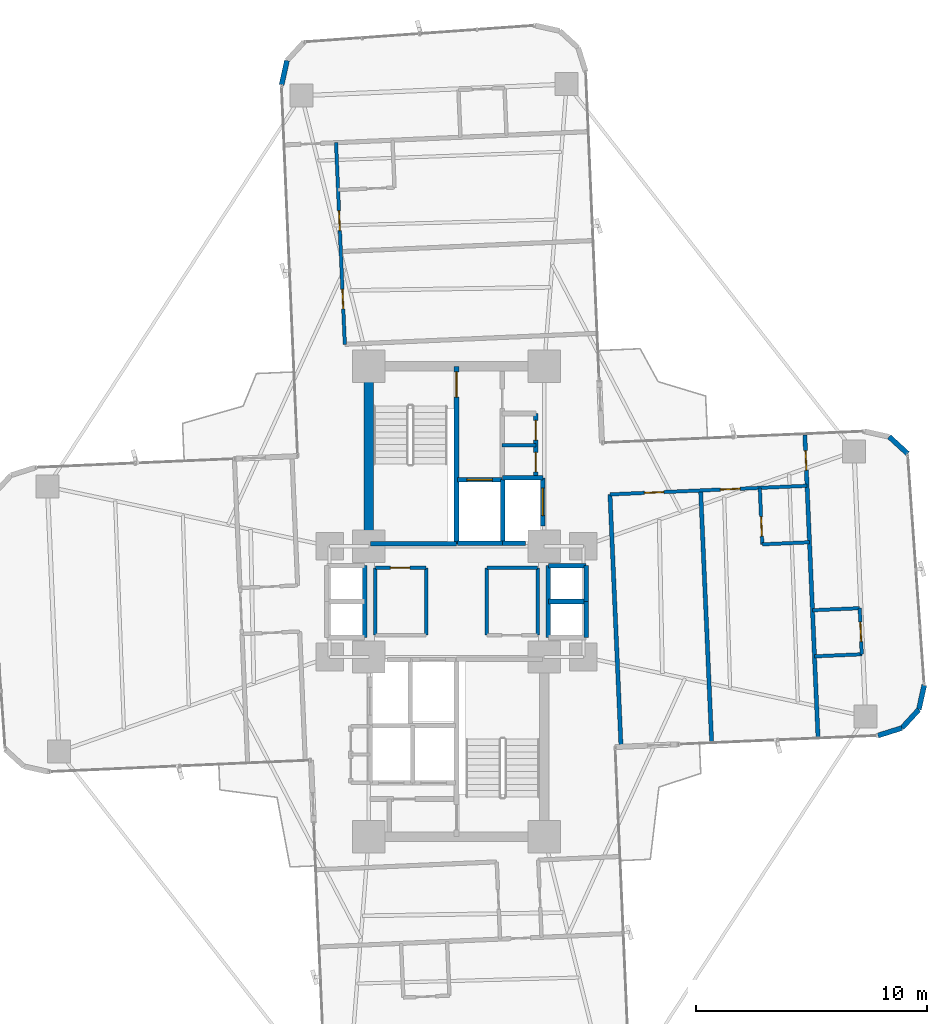
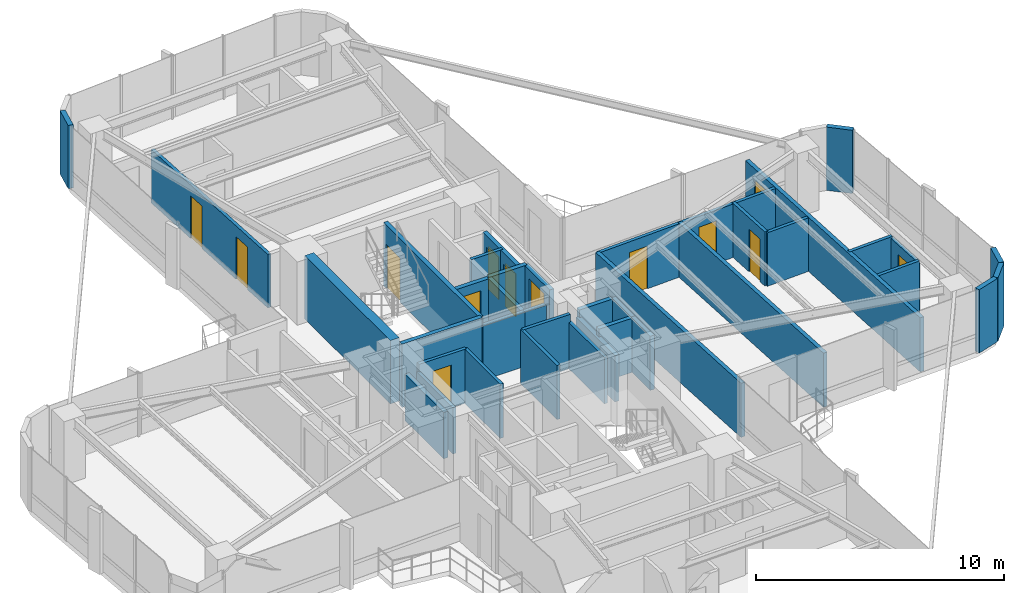
# One storey, part 24 of 26: 38 walls, 13 doors, 13 openings.
"""IFC4 building model written with IfcOpenShell, lengths in metres."""

from ifc_helpers import new_model, si_unit, direction, frame, frame_2d, origin, origin_2d, place, context, subcontext, project, spatial, rectangle, extrude, source, transform, mapped, material, layer, layer_set, type_object, element, fill, save


model = new_model("IFC4")

# Units and contexts
model_context = context("Model", 3, precision=1e-05, world=origin(), true_north=direction((0.0, 1.0)))
body_context = subcontext(model_context, "Body", "Model", "MODEL_VIEW")
ifc_project = project(units=[si_unit("LENGTHUNIT", "METRE"), si_unit("AREAUNIT", "SQUARE_METRE"), si_unit("VOLUMEUNIT", "CUBIC_METRE"), si_unit("PLANEANGLEUNIT", "RADIAN"), si_unit("MASSUNIT", "GRAM", prefix="KILO")], contexts=[model_context])

# Site, building, storey
site_placement = place(None, origin())
site = spatial("IfcSite", under=ifc_project, at=site_placement, CompositionType="ELEMENT")
building_placement = place(site_placement, origin())
building = spatial("IfcBuilding", under=site, at=building_placement, Name="Sahyath Konkavel Grand Hotel", CompositionType="ELEMENT")
storey_placement = place(building_placement, frame((0.0, 0.0, 118.14990234375)))
storey = spatial("IfcBuildingStorey", under=building, at=storey_placement, Name="L32", CompositionType="ELEMENT", Elevation=118.14990234375)

# Walls
ifc_material_1 = material(Name="Concrete C50/60", Category="concrete")
ifc_layer_1 = layer(ifc_material_1, 0.419921875)
ifc_layer_set_1 = layer_set([ifc_layer_1], Name="Concrete C50/60")
wall_type_1 = type_object("IfcWallType", Name="CWALL-420", PredefinedType="SHEAR", material=ifc_layer_set_1)
wall_1_placement = place(storey_placement, frame((-3.800048828125, 2.85009765625, 0.0), z_axis=(0.0, 0.0, 1.0), x_axis=(0.0, 1.0, 0.0)))
element("IfcWall", 1, at=wall_1_placement, inside=storey, type_object=wall_type_1, Name="L32 North Core Shear Wall W", PredefinedType="SHEAR", context=body_context, shape_type="SweptSolid", body=[
    extrude(rectangle(XDim=6.89990234375, YDim=0.419921875, at=frame_2d((3.449951171875, 0.0))), origin(), (0.0, 0.0, 1.0), 3.110107421875),
])
ifc_material_2 = material(Name="Warm Buff Sandstone Insulated Concrete C40/50", Category="masonry")
ifc_layer_2 = layer(ifc_material_2, 0.219970703125)
ifc_layer_set_2 = layer_set([ifc_layer_2], Name="Warm Buff Sandstone Insulated Concrete C40/50")
wall_type_2 = type_object("IfcWallType", Name="WLL-BALC-THRESH", PredefinedType="STANDARD", material=ifc_layer_set_2)
for number, where, z_axis, x_axis, name in (
    (2, (18.270751953125, -5.80859375, 0.0), (0.0, 0.0, 1.0), (0.953721713582, 0.30069069331, 0.0), "L32 Rounded Corner Sandstone Pier 1"),
    (3, (19.3076171875, -5.481689453125, 0.0), (0.0, 0.0, 1.0), (0.675551721847, 0.737312600672, 0.0), "L32 Rounded Corner Sandstone Pier 2"),
):
    element("IfcWall", number, at=place(storey_placement, frame(where, z_axis=z_axis, x_axis=x_axis)), inside=storey, type_object=wall_type_2, Name=name, PredefinedType="STANDARD", context=body_context, shape_type="SweptSolid", body=[
        extrude(rectangle(XDim=1.087158203125, YDim=0.219970703125, at=frame_2d((0.54345703125, 0.0))), origin(), (0.0, 0.0, 1.0), 3.110107421875),
    ])
for number, where, z_axis, x_axis, name in (
    (4, (20.0419921875, -4.68017578125, 0.0), (0.0, 0.0, 1.0), (0.216288323511, 0.976329535102, 0.0), "L32 Rounded Corner Sandstone Pier 3"),
    (5, (19.5576171875, 6.4091796875, 0.0), (0.0, 0.0, 1.0), (-0.737210081318, 0.675663596772, 0.0), "L32 Rounded Corner Sandstone Pier 5"),
):
    element("IfcWall", number, at=place(storey_placement, frame(where, z_axis=z_axis, x_axis=x_axis)), inside=storey, type_object=wall_type_2, Name=name, PredefinedType="STANDARD", context=body_context, shape_type="SweptSolid", body=[
        extrude(rectangle(XDim=1.0869140625, YDim=0.219970703125, at=frame_2d((0.54345703125, 0.0))), origin(), (0.0, 0.0, 1.0), 3.110107421875),
    ])
wall_2_placement = place(storey_placement, frame((-7.3486328125, 23.451904296875, 0.0), z_axis=(0.0, 0.0, 1.0), x_axis=(-0.216454939174, -0.976292609471, 0.0)))
element("IfcWall", 6, at=wall_2_placement, inside=storey, type_object=wall_type_2, Name="L32 Rounded Corner Sandstone Pier 14", PredefinedType="STANDARD", context=body_context, shape_type="SweptSolid", body=[
    extrude(rectangle(XDim=1.08740234375, YDim=0.219970703125, at=frame_2d((0.543701171875, 0.0))), origin(), (0.0, 0.0, 1.0), 3.110107421875),
])

# Wall, opening, door
ifc_material_3 = material(Name="Concrete C40/50", Category="concrete")
ifc_layer_3 = layer(ifc_material_3, 0.199951171875)
ifc_layer_set_3 = layer_set([ifc_layer_3], Name="Concrete C40/50")
wall_type_3 = type_object("IfcWallType", Name="WLL-CORE-200", PredefinedType="SOLIDWALL", material=ifc_layer_set_3)
wall_3_placement = place(storey_placement, frame((0.0, 2.5, 0.0), z_axis=(0.0, 0.0, 1.0), x_axis=(0.0, 1.0, 0.0)))
wall_3 = element("IfcWall", 7, at=wall_3_placement, inside=storey, type_object=wall_type_3, Name="L32 Stair ST-1 Shaft Wall E", PredefinedType="SOLIDWALL", context=body_context, shape_type="SweptSolid", body=[
    extrude(rectangle(XDim=7.679931640625, YDim=0.199951171875, at=frame_2d((3.83984375, 0.0))), origin(), (0.0, 0.0, 1.0), 3.110107421875),
])
opening_1_placement = place(wall_3_placement, frame((6.360107421875, 0.0, 0.0)))
opening_1 = element("IfcOpeningElement", 8, at=opening_1_placement, cuts=wall_3, Name="Opening D-F12B", PredefinedType="OPENING", context=body_context, shape_type="SweptSolid", body=[
    extrude(rectangle(XDim=1.10009765625, YDim=2.14990234375, at=frame_2d((0.550048828125, 1.074951171875))), frame((0.0, 0.10986328125, 0.0), z_axis=(0.0, -1.0, 0.0), x_axis=(1.0, 0.0, 0.0)), (0.0, 0.0, 1.0), 0.219970703125),
])
ifc_material_4 = material(Name="Steel E350 Smokeproof Fire Door", Category="steel")
door_type_1 = type_object("IfcDoorType", Name="DR-FD120-1100", OperationType="NOTDEFINED", PredefinedType="DOOR", material=ifc_material_4)
shared_shape_1 = source(origin(), body_context, "Body", "SweptSolid", [
    extrude(rectangle(XDim=1.10009765625, YDim=0.050048828125, at=origin_2d()), origin(), (0.0, 0.0, 1.0), 2.14990234375),
])
door_1_placement = place(opening_1_placement, frame((0.550048828125, 0.0, 0.0)))
door_1 = element("IfcDoor", 9, at=door_1_placement, inside=storey, type_object=door_type_1, Name="L32 Stair ST-1 Fire Door", OperationType="SINGLE_SWING_RIGHT", OverallHeight=2.14990234375, OverallWidth=1.10009765625, PredefinedType="DOOR", context=body_context, shape_type="MappedRepresentation", body=[
    mapped(shared_shape_1, transform((0.0, 0.0, 0.0), scale=1.0)),
])
fill(opening_1, door_1)

# Walls
wall_4_placement = place(storey_placement, frame((-3.719970703125, 2.5, 0.0), z_axis=(0.0, 0.0, 1.0), x_axis=(1.0, 0.0, 0.0)))
element("IfcWall", 10, at=wall_4_placement, inside=storey, type_object=wall_type_3, Name="L32 Stair ST-1 Shaft Wall S", PredefinedType="SOLIDWALL", context=body_context, shape_type="SweptSolid", body=[
    extrude(rectangle(XDim=3.719970703125, YDim=0.199951171875, at=frame_2d((1.85986328125, 0.0))), origin(), (0.0, 0.0, 1.0), 3.110107421875),
])
wall_5_placement = place(storey_placement, frame((2.0, 2.5, 0.0), z_axis=(0.0, 0.0, 1.0), x_axis=(0.0, 1.0, 0.0)))
element("IfcWall", 11, at=wall_5_placement, inside=storey, type_object=wall_type_3, Name="L32 Partition SH-FFL1-E", PredefinedType="SOLIDWALL", context=body_context, shape_type="SweptSolid", body=[
    extrude(rectangle(XDim=2.780029296875, YDim=0.199951171875, at=frame_2d((1.39013671875, 0.0))), origin(), (0.0, 0.0, 1.0), 2.66015625),
])
wall_6_placement = place(storey_placement, frame((0.050048828125, 2.52001953125, 0.0), z_axis=(0.0, 0.0, 1.0), x_axis=(1.0, 0.0, 0.0)))
element("IfcWall", 12, at=wall_6_placement, inside=storey, type_object=wall_type_3, Name="L32 Partition SH-FFL1-S", PredefinedType="SOLIDWALL", context=body_context, shape_type="SweptSolid", body=[
    extrude(rectangle(XDim=1.949951171875, YDim=0.199951171875, at=frame_2d((0.97509765625, 0.0))), origin(), (0.0, 0.0, 1.0), 2.66015625),
])

# Wall, opening, door
wall_7_placement = place(storey_placement, frame((0.050048828125, 5.280029296875, 0.0), z_axis=(0.0, 0.0, 1.0), x_axis=(1.0, 0.0, 0.0)))
wall_7 = element("IfcWall", 13, at=wall_7_placement, inside=storey, type_object=wall_type_3, Name="L32 Partition SH-FFL1-N", PredefinedType="SOLIDWALL", context=body_context, shape_type="SweptSolid", body=[
    extrude(rectangle(XDim=1.929931640625, YDim=0.199951171875, at=frame_2d((0.96484375, 0.0))), origin(), (0.0, 0.0, 1.0), 2.66015625),
])
opening_2_placement = place(wall_7_placement, frame((0.39990234375, 0.0, 0.0)))
opening_2 = element("IfcOpeningElement", 14, at=opening_2_placement, cuts=wall_7, Name="Opening LD-11", PredefinedType="OPENING", context=body_context, shape_type="SweptSolid", body=[
    extrude(rectangle(XDim=1.10009765625, YDim=2.199951171875, at=frame_2d((0.550048828125, 1.10009765625))), frame((0.0, 0.10986328125, 0.0), z_axis=(0.0, -1.0, 0.0), x_axis=(1.0, 0.0, 0.0)), (0.0, 0.0, 1.0), 0.219970703125),
])
ifc_material_5 = material(Name="Bronze Lift Landing Door 1100")
door_type_2 = type_object("IfcDoorType", Name="DR-LIFT-1100", OperationType="DOUBLE_DOOR_SLIDING", PredefinedType="DOOR", material=ifc_material_5)
shared_shape_2 = source(origin(), body_context, "Body", "SweptSolid", [
    extrude(rectangle(XDim=1.10009765625, YDim=0.050048828125, at=origin_2d()), origin(), (0.0, 0.0, 1.0), 2.199951171875),
])
door_2_placement = place(opening_2_placement, frame((0.550048828125, 0.0, 0.0)))
door_2 = element("IfcDoor", 15, at=door_2_placement, inside=storey, type_object=door_type_2, Name="L32 Lift FFL-1 Landing Door", OperationType="DOUBLE_DOOR_SLIDING", OverallHeight=2.199951171875, OverallWidth=1.10009765625, PredefinedType="DOOR", context=body_context, shape_type="MappedRepresentation", body=[
    mapped(shared_shape_2, transform((0.0, 0.0, 0.0), scale=1.0)),
])
fill(opening_2, door_2)

# Walls
wall_8_placement = place(storey_placement, frame((2.0, 2.52001953125, 0.0), z_axis=(0.0, 0.0, 1.0), x_axis=(1.0, 0.0, 0.0)))
element("IfcWall", 16, at=wall_8_placement, inside=storey, type_object=wall_type_3, Name="L32 Partition SH-SVL1-S", PredefinedType="SOLIDWALL", context=body_context, shape_type="SweptSolid", body=[
    extrude(rectangle(XDim=1.0, YDim=0.199951171875, at=frame_2d((0.5, 0.0))), origin(), (0.0, 0.0, 1.0), 2.66015625),
])
wall_9_placement = place(storey_placement, frame((2.0, 5.360107421875, 0.0), z_axis=(0.0, 0.0, 1.0), x_axis=(1.0, 0.0, 0.0)))
element("IfcWall", 17, at=wall_9_placement, inside=storey, type_object=wall_type_3, Name="L32 Partition SH-SVL1-N", PredefinedType="SOLIDWALL", context=body_context, shape_type="SweptSolid", body=[
    extrude(rectangle(XDim=1.739990234375, YDim=0.199951171875, at=frame_2d((0.8701171875, 0.0))), origin(), (0.0, 0.0, 1.0), 2.66015625),
])

# Wall, opening, door
wall_10_placement = place(storey_placement, frame((3.739990234375, 3.280029296875, 0.0), z_axis=(0.0, 0.0, 1.0), x_axis=(0.0, 1.0, 0.0)))
wall_10 = element("IfcWall", 18, at=wall_10_placement, inside=storey, type_object=wall_type_3, Name="L32 Partition SH-SVL1-E", PredefinedType="SOLIDWALL", context=body_context, shape_type="SweptSolid", body=[
    extrude(rectangle(XDim=2.080078125, YDim=0.199951171875, at=frame_2d((1.0400390625, 0.0))), origin(), (0.0, 0.0, 1.0), 2.66015625),
])
opening_3_placement = place(wall_10_placement, frame((0.43994140625, 0.0, 0.0)))
opening_3 = element("IfcOpeningElement", 19, at=opening_3_placement, cuts=wall_10, Name="Opening LD-12", PredefinedType="OPENING", context=body_context, shape_type="SweptSolid", body=[
    extrude(rectangle(XDim=1.199951171875, YDim=2.199951171875, at=frame_2d((0.60009765625, 1.10009765625))), frame((0.0, 0.10986328125, 0.0), z_axis=(0.0, -1.0, 0.0), x_axis=(1.0, 0.0, 0.0)), (0.0, 0.0, 1.0), 0.219970703125),
])
ifc_material_6 = material(Name="Stainless Steel Lift Landing Door 1200", Category="steel")
door_type_3 = type_object("IfcDoorType", Name="DR-LIFT-1200", OperationType="DOUBLE_DOOR_SLIDING", PredefinedType="DOOR", material=ifc_material_6)
shared_shape_3 = source(origin(), body_context, "Body", "SweptSolid", [
    extrude(rectangle(XDim=1.199951171875, YDim=0.050048828125, at=origin_2d()), origin(), (0.0, 0.0, 1.0), 2.199951171875),
])
door_3_placement = place(opening_3_placement, frame((0.60009765625, 0.0, 0.0)))
door_3 = element("IfcDoor", 20, at=door_3_placement, inside=storey, type_object=door_type_3, Name="L32 Service Lift SVL-1 Landing Door", OperationType="DOUBLE_DOOR_SLIDING", OverallHeight=2.199951171875, OverallWidth=1.199951171875, PredefinedType="DOOR", context=body_context, shape_type="MappedRepresentation", body=[
    mapped(shared_shape_3, transform((0.0, 0.0, 0.0), scale=1.0)),
])
fill(opening_3, door_3)

# Walls
wall_11_placement = place(storey_placement, frame((3.97998046875, -1.56005859375, 0.0), z_axis=(0.0, 0.0, 1.0), x_axis=(0.0, 1.0, 0.0)))
element("IfcWall", 21, at=wall_11_placement, inside=storey, type_object=wall_type_3, Name="L32 Partition SH-PL56-W", PredefinedType="SOLIDWALL", context=body_context, shape_type="SweptSolid", body=[
    extrude(rectangle(XDim=3.1201171875, YDim=0.199951171875, at=frame_2d((1.56005859375, 0.0))), origin(), (0.0, 0.0, 1.0), 2.280029296875),
])
for number, where, z_axis, x_axis, name in (
    (22, (3.97998046875, 1.56005859375, 0.0), (0.0, 0.0, 1.0), (1.0, 0.0, 0.0), "L32 Partition SH-PL56-N"),
    (23, (3.97998046875, 0.0, 0.0), (0.0, 0.0, 1.0), (1.0, 0.0, 0.0), "L32 Partition SH-PL56-M"),
):
    element("IfcWall", number, at=place(storey_placement, frame(where, z_axis=z_axis, x_axis=x_axis)), inside=storey, type_object=wall_type_3, Name=name, PredefinedType="SOLIDWALL", context=body_context, shape_type="SweptSolid", body=[
        extrude(rectangle(XDim=1.64013671875, YDim=0.199951171875, at=frame_2d((0.820068359375, 0.0))), origin(), (0.0, 0.0, 1.0), 2.66015625),
    ])
for number, where, z_axis, x_axis, name in (
    (24, (5.6201171875, 0.0, 0.0), (0.0, 0.0, 1.0), (0.0, 1.0, 0.0), "L32 Partition SH-PL5-E"),
    (25, (5.6201171875, -1.56005859375, 0.0), (0.0, 0.0, 1.0), (0.0, 1.0, 0.0), "L32 Partition SH-PL6-E"),
):
    element("IfcWall", number, at=place(storey_placement, frame(where, z_axis=z_axis, x_axis=x_axis)), inside=storey, type_object=wall_type_3, Name=name, PredefinedType="SOLIDWALL", context=body_context, shape_type="SweptSolid", body=[
        extrude(rectangle(XDim=1.56005859375, YDim=0.199951171875, at=frame_2d((0.780029296875, 0.0))), origin(), (0.0, 0.0, 1.0), 2.66015625),
    ])
wall_12_placement = place(storey_placement, frame((-3.97998046875, -1.56005859375, 0.0), z_axis=(0.0, 0.0, 1.0), x_axis=(0.0, 1.0, 0.0)))
element("IfcWall", 26, at=wall_12_placement, inside=storey, type_object=wall_type_3, Name="L32 Partition SH-SL12-E", PredefinedType="SOLIDWALL", context=body_context, shape_type="SweptSolid", body=[
    extrude(rectangle(XDim=3.1201171875, YDim=0.199951171875, at=frame_2d((1.56005859375, 0.0))), origin(), (0.0, 0.0, 1.0), 2.280029296875),
])

# Wall, openings, doors
wall_13_placement = place(storey_placement, frame((3.43994140625, 5.3798828125, 0.0), z_axis=(0.0, 0.0, 1.0), x_axis=(0.0, 1.0, 0.0)))
wall_13 = element("IfcWall", 27, at=wall_13_placement, inside=storey, type_object=wall_type_3, Name="L32 Reclaimed North Core Wall E", PredefinedType="SOLIDWALL", context=body_context, shape_type="SweptSolid", body=[
    extrude(rectangle(XDim=2.77001953125, YDim=0.199951171875, at=frame_2d((1.385009765625, 0.0))), origin(), (0.0, 0.0, 1.0), 2.66015625),
])
opening_4_placement = place(wall_13_placement, frame((0.239990234375, 0.0, 0.0)))
opening_4 = element("IfcOpeningElement", 28, at=opening_4_placement, cuts=wall_13, Name="Opening D-F06D", PredefinedType="OPENING", context=body_context, shape_type="SweptSolid", body=[
    extrude(rectangle(XDim=0.85009765625, YDim=2.10009765625, at=frame_2d((0.425048828125, 1.050048828125))), frame((0.0, 0.10986328125, 0.0), z_axis=(0.0, -1.0, 0.0), x_axis=(1.0, 0.0, 0.0)), (0.0, 0.0, 1.0), 0.219970703125),
])
opening_5_placement = place(wall_13_placement, frame((1.6201171875, 0.0, 0.0)))
opening_5 = element("IfcOpeningElement", 29, at=opening_5_placement, cuts=wall_13, Name="Opening D-F06D", PredefinedType="OPENING", context=body_context, shape_type="SweptSolid", body=[
    extrude(rectangle(XDim=0.85009765625, YDim=2.10009765625, at=frame_2d((0.425048828125, 1.050048828125))), frame((0.0, 0.10986328125, 0.0), z_axis=(0.0, -1.0, 0.0), x_axis=(1.0, 0.0, 0.0)), (0.0, 0.0, 1.0), 0.219970703125),
])
ifc_material_7 = material(Name="Fire-Rated Shaft Access Door")
door_type_4 = type_object("IfcDoorType", Name="DR-FD60-850", OperationType="NOTDEFINED", PredefinedType="DOOR", material=ifc_material_7)
shared_shape_4 = source(origin(), body_context, "Body", "SweptSolid", [
    extrude(rectangle(XDim=0.85009765625, YDim=0.050048828125, at=origin_2d()), origin(), (0.0, 0.0, 1.0), 2.10009765625),
])
door_4_placement = place(opening_4_placement, frame((0.425048828125, 0.0, 0.0)))
door_4 = element("IfcDoor", 30, at=door_4_placement, inside=storey, type_object=door_type_4, Name="L32 Door NC-REC1-D", OperationType="SINGLE_SWING_LEFT", OverallHeight=2.10009765625, OverallWidth=0.85009765625, PredefinedType="DOOR", context=body_context, shape_type="MappedRepresentation", body=[
    mapped(shared_shape_4, transform((0.0, 0.0, 0.0), scale=1.0)),
])
fill(opening_4, door_4)
door_5_placement = place(opening_5_placement, frame((0.425048828125, 0.0, 0.0)))
door_5 = element("IfcDoor", 31, at=door_5_placement, inside=storey, type_object=door_type_4, Name="L32 Door NC-REC2-D", OperationType="SINGLE_SWING_RIGHT", OverallHeight=2.10009765625, OverallWidth=0.85009765625, PredefinedType="DOOR", context=body_context, shape_type="MappedRepresentation", body=[
    mapped(shared_shape_4, transform((0.0, 0.0, 0.0), scale=1.0)),
])
fill(opening_5, door_5)

# Walls
ifc_material_8 = material(Name="Twin-Stud Acoustic Gypsum Plasterboard Partition")
ifc_layer_4 = layer(ifc_material_8, 0.179931640625)
ifc_layer_set_4 = layer_set([ifc_layer_4], Name="Twin-Stud Acoustic Gypsum Plasterboard Partition")
wall_type_4 = type_object("IfcWallType", Name="WLL-DEMISE-180", PredefinedType="PARTITIONING", material=ifc_layer_set_4)
wall_14_placement = place(storey_placement, frame((7.129150390625, -6.2451171875, 0.0), z_axis=(0.0, 0.0, 1.0), x_axis=(-0.043608291235, 0.999048705988, 0.0)))
element("IfcWall", 32, at=wall_14_placement, inside=storey, type_object=wall_type_4, Name="L32 Partition E-G5I", PredefinedType="PARTITIONING", context=body_context, shape_type="SweptSolid", body=[
    extrude(rectangle(XDim=10.900146484375, YDim=0.179931640625, at=frame_2d((5.4501953125, 0.0))), origin(), (0.0, 0.0, 1.0), 2.66015625),
])
wall_15_placement = place(storey_placement, frame((10.5830078125, 4.816162109375, 0.0), z_axis=(0.0, 0.0, 1.0), x_axis=(0.043609267053, -0.999048663393, 0.0)))
element("IfcWall", 33, at=wall_15_placement, inside=storey, type_object=wall_type_4, Name="L32 Partition E-ED1-DEM", PredefinedType="PARTITIONING", context=body_context, shape_type="SweptSolid", body=[
    extrude(rectangle(XDim=10.89990234375, YDim=0.179931640625, at=frame_2d((5.449951171875, 0.0))), origin(), (0.0, 0.0, 1.0), 2.66015625),
])

# Wall, opening, door
wall_16_placement = place(storey_placement, frame((15.6708984375, -5.8720703125, 0.0), z_axis=(0.0, 0.0, 1.0), x_axis=(-0.043609488494, 0.999048653727, 0.0)))
wall_16 = element("IfcWall", 34, at=wall_16_placement, inside=storey, type_object=wall_type_4, Name="L32 Partition E-ETIP-END", PredefinedType="PARTITIONING", context=body_context, shape_type="SweptSolid", body=[
    extrude(rectangle(XDim=13.10009765625, YDim=0.179931640625, at=frame_2d((6.550048828125, 0.0))), origin(), (0.0, 0.0, 1.0), 2.66015625),
])
opening_6_placement = place(wall_16_placement, frame((11.574951171875, 0.0, 0.0)))
opening_6 = element("IfcOpeningElement", 35, at=opening_6_placement, cuts=wall_16, Name="Opening D-F06D", PredefinedType="OPENING", context=body_context, shape_type="SweptSolid", body=[
    extrude(rectangle(XDim=0.85009765625, YDim=2.10009765625, at=frame_2d((0.425048828125, 1.050048828125))), frame((0.0, 0.10009765625, 0.0), z_axis=(0.0, -1.0, 0.0), x_axis=(1.0, 0.0, 0.0)), (0.0, 0.0, 1.0), 0.199951171875),
])
door_6_placement = place(opening_6_placement, frame((0.425048828125, 0.0, 0.0)))
door_6 = element("IfcDoor", 36, at=door_6_placement, inside=storey, type_object=door_type_4, Name="L32 Door E-ETIP-ED", OperationType="SINGLE_SWING_LEFT", OverallHeight=2.10009765625, OverallWidth=0.85009765625, PredefinedType="DOOR", context=body_context, shape_type="MappedRepresentation", body=[
    mapped(shared_shape_4, transform((0.0, 0.0, 0.0), scale=1.0)),
])
fill(opening_6, door_6)

# Walls
ifc_material_9 = material(Name="Fire-Rated Gypsum Plasterboard Partition")
ifc_layer_5 = layer(ifc_material_9, 0.14990234375)
ifc_layer_set_5 = layer_set([ifc_layer_5], Name="Fire-Rated Gypsum Plasterboard Partition")
wall_type_5 = type_object("IfcWallType", Name="WLL-PART-150", PredefinedType="PARTITIONING", material=ifc_layer_set_5)
wall_17_placement = place(storey_placement, frame((1.97998046875, 6.77001953125, 0.0), z_axis=(0.0, 0.0, 1.0), x_axis=(1.0, 0.0, 0.0)))
element("IfcWall", 37, at=wall_17_placement, inside=storey, type_object=wall_type_5, Name="L32 Partition NC-REC-M1", PredefinedType="PARTITIONING", context=body_context, shape_type="SweptSolid", body=[
    extrude(rectangle(XDim=1.4599609375, YDim=0.14990234375, at=frame_2d((0.72998046875, 0.0))), origin(), (0.0, 0.0, 1.0), 2.66015625),
])
wall_18_placement = place(storey_placement, frame((-1.320068359375, -1.4599609375, 0.0), z_axis=(0.0, 0.0, 1.0), x_axis=(0.0, 1.0, 0.0)))
element("IfcWall", 38, at=wall_18_placement, inside=storey, type_object=wall_type_5, Name="L32 Partition CC-1WI", PredefinedType="PARTITIONING", context=body_context, shape_type="SweptSolid", body=[
    extrude(rectangle(XDim=2.919921875, YDim=0.14990234375, at=frame_2d((1.4599609375, 0.0))), origin(), (0.0, 0.0, 1.0), 2.66015625),
])
wall_19_placement = place(storey_placement, frame((-3.52001953125, -1.4599609375, 0.0), z_axis=(0.0, 0.0, 1.0), x_axis=(0.0, 1.0, 0.0)))
element("IfcWall", 39, at=wall_19_placement, inside=storey, type_object=wall_type_5, Name="L32 Partition CC-1WO", PredefinedType="PARTITIONING", context=body_context, shape_type="SweptSolid", body=[
    extrude(rectangle(XDim=2.919921875, YDim=0.14990234375, at=frame_2d((1.4599609375, 0.0))), origin(), (0.0, 0.0, 1.0), 2.280029296875),
])

# Wall, opening, door
wall_20_placement = place(storey_placement, frame((-3.52001953125, 1.4599609375, 0.0), z_axis=(0.0, 0.0, 1.0), x_axis=(1.0, 0.0, 0.0)))
wall_20 = element("IfcWall", 40, at=wall_20_placement, inside=storey, type_object=wall_type_5, Name="L32 Partition CC-1WN", PredefinedType="PARTITIONING", context=body_context, shape_type="SweptSolid", body=[
    extrude(rectangle(XDim=2.199951171875, YDim=0.14990234375, at=frame_2d((1.10009765625, 0.0))), origin(), (0.0, 0.0, 1.0), 2.66015625),
])
opening_7_placement = place(wall_20_placement, frame((0.64990234375, 0.0, 0.0)))
opening_7 = element("IfcOpeningElement", 41, at=opening_7_placement, cuts=wall_20, Name="Opening D-F06D", PredefinedType="OPENING", context=body_context, shape_type="SweptSolid", body=[
    extrude(rectangle(XDim=0.85009765625, YDim=2.10009765625, at=frame_2d((0.425048828125, 1.050048828125))), frame((0.0, 0.0849609375, 0.0), z_axis=(0.0, -1.0, 0.0), x_axis=(1.0, 0.0, 0.0)), (0.0, 0.0, 1.0), 0.169921875),
])
door_7_placement = place(opening_7_placement, frame((0.425048828125, 0.0, 0.0)))
door_7 = element("IfcDoor", 42, at=door_7_placement, inside=storey, type_object=door_type_4, Name="L32 Door CC-D1W", OperationType="SINGLE_SWING_LEFT", OverallHeight=2.10009765625, OverallWidth=0.85009765625, PredefinedType="DOOR", context=body_context, shape_type="MappedRepresentation", body=[
    mapped(shared_shape_4, transform((0.0, 0.0, 0.0), scale=1.0)),
])
fill(opening_7, door_7)

# Walls
wall_21_placement = place(storey_placement, frame((1.320068359375, -1.4599609375, 0.0), z_axis=(0.0, 0.0, 1.0), x_axis=(0.0, 1.0, 0.0)))
element("IfcWall", 43, at=wall_21_placement, inside=storey, type_object=wall_type_5, Name="L32 Partition CC-1EI", PredefinedType="PARTITIONING", context=body_context, shape_type="SweptSolid", body=[
    extrude(rectangle(XDim=2.919921875, YDim=0.14990234375, at=frame_2d((1.4599609375, 0.0))), origin(), (0.0, 0.0, 1.0), 2.66015625),
])
wall_22_placement = place(storey_placement, frame((3.52001953125, -1.4599609375, 0.0), z_axis=(0.0, 0.0, 1.0), x_axis=(0.0, 1.0, 0.0)))
element("IfcWall", 44, at=wall_22_placement, inside=storey, type_object=wall_type_5, Name="L32 Partition CC-1EO", PredefinedType="PARTITIONING", context=body_context, shape_type="SweptSolid", body=[
    extrude(rectangle(XDim=2.919921875, YDim=0.14990234375, at=frame_2d((1.4599609375, 0.0))), origin(), (0.0, 0.0, 1.0), 2.280029296875),
])
wall_23_placement = place(storey_placement, frame((1.320068359375, 1.4599609375, 0.0), z_axis=(0.0, 0.0, 1.0), x_axis=(1.0, 0.0, 0.0)))
element("IfcWall", 45, at=wall_23_placement, inside=storey, type_object=wall_type_5, Name="L32 Partition CC-1EN", PredefinedType="PARTITIONING", context=body_context, shape_type="SweptSolid", body=[
    extrude(rectangle(XDim=2.199951171875, YDim=0.14990234375, at=frame_2d((1.10009765625, 0.0))), origin(), (0.0, 0.0, 1.0), 2.66015625),
])

# Wall, openings, doors
wall_24_placement = place(storey_placement, frame((6.65380859375, 4.644775390625, 0.0), z_axis=(0.0, 0.0, 1.0), x_axis=(0.999048925025, 0.043603272887, 0.0)))
wall_24 = element("IfcWall", 46, at=wall_24_placement, inside=storey, type_object=wall_type_5, Name="L32 Partition E-G5W", PredefinedType="PARTITIONING", context=body_context, shape_type="SweptSolid", body=[
    extrude(rectangle(XDim=8.5498046875, YDim=0.14990234375, at=frame_2d((4.27490234375, 0.0))), origin(), (0.0, 0.0, 1.0), 2.630126953125),
])
opening_8_placement = place(wall_24_placement, frame((1.490966796875, 0.0, 0.0)))
opening_8 = element("IfcOpeningElement", 47, at=opening_8_placement, cuts=wall_24, Name="Opening D-F06D", PredefinedType="OPENING", context=body_context, shape_type="SweptSolid", body=[
    extrude(rectangle(XDim=0.85009765625, YDim=2.10009765625, at=frame_2d((0.425048828125, 1.050048828125))), frame((0.0, 0.0849609375, 0.0), z_axis=(0.0, -1.0, 0.0), x_axis=(1.0, 0.0, 0.0)), (0.0, 0.0, 1.0), 0.169921875),
])
opening_9_placement = place(wall_24_placement, frame((4.7919921875, 0.0, 0.0)))
opening_9 = element("IfcOpeningElement", 48, at=opening_9_placement, cuts=wall_24, Name="Opening D-F06D", PredefinedType="OPENING", context=body_context, shape_type="SweptSolid", body=[
    extrude(rectangle(XDim=0.85009765625, YDim=2.10009765625, at=frame_2d((0.425048828125, 1.050048828125))), frame((0.0, 0.0849609375, 0.0), z_axis=(0.0, -1.0, 0.0), x_axis=(1.0, 0.0, 0.0)), (0.0, 0.0, 1.0), 0.169921875),
])
door_8_placement = place(opening_8_placement, frame((0.425048828125, 0.0, 0.0)))
door_8 = element("IfcDoor", 49, at=door_8_placement, inside=storey, type_object=door_type_4, Name="L32 Door E-ED1-D", OperationType="SINGLE_SWING_LEFT", OverallHeight=2.10009765625, OverallWidth=0.85009765625, PredefinedType="DOOR", context=body_context, shape_type="MappedRepresentation", body=[
    mapped(shared_shape_4, transform((0.0, 0.0, 0.0), scale=1.0)),
])
fill(opening_8, door_8)
door_9_placement = place(opening_9_placement, frame((0.425048828125, 0.0, 0.0)))
door_9 = element("IfcDoor", 50, at=door_9_placement, inside=storey, type_object=door_type_4, Name="L32 Door E-ED2-ED", OperationType="SINGLE_SWING_LEFT", OverallHeight=2.10009765625, OverallWidth=0.85009765625, PredefinedType="DOOR", context=body_context, shape_type="MappedRepresentation", body=[
    mapped(shared_shape_4, transform((0.0, 0.0, 0.0), scale=1.0)),
])
fill(opening_9, door_9)

# Wall, opening, door
wall_25_placement = place(storey_placement, frame((13.1474609375, 4.92822265625, 0.0), z_axis=(0.0, 0.0, 1.0), x_axis=(0.043644787072, -0.999047112283, 0.0)))
wall_25 = element("IfcWall", 51, at=wall_25_placement, inside=storey, type_object=wall_type_5, Name="L32 Partition E-ED2-BS", PredefinedType="PARTITIONING", context=body_context, shape_type="SweptSolid", body=[
    extrude(rectangle(XDim=2.4501953125, YDim=0.14990234375, at=frame_2d((1.22509765625, 0.0))), origin(), (0.0, 0.0, 1.0), 2.66015625),
])
opening_10_placement = place(wall_25_placement, frame((1.25, 0.0, 0.0)))
opening_10 = element("IfcOpeningElement", 52, at=opening_10_placement, cuts=wall_25, Name="Opening D-BT85", PredefinedType="OPENING", context=body_context, shape_type="SweptSolid", body=[
    extrude(rectangle(XDim=0.85009765625, YDim=2.10009765625, at=frame_2d((0.425048828125, 1.050048828125))), frame((0.0, 0.0849609375, 0.0), z_axis=(0.0, -1.0, 0.0), x_axis=(1.0, 0.0, 0.0)), (0.0, 0.0, 1.0), 0.169921875),
])
ifc_material_10 = material(Name="Moisture-Resistant Teak Bathroom Door")
door_type_5 = type_object("IfcDoorType", Name="DR-BATH-850", OperationType="NOTDEFINED", PredefinedType="DOOR", material=ifc_material_10)
door_10_placement = place(opening_10_placement, frame((0.425048828125, 0.0, 0.0)))
door_10 = element("IfcDoor", 53, at=door_10_placement, inside=storey, type_object=door_type_5, Name="L32 Door E-ED2-BD", OperationType="SINGLE_SWING_RIGHT", OverallHeight=2.10009765625, OverallWidth=0.85009765625, PredefinedType="DOOR", context=body_context, shape_type="MappedRepresentation", body=[
    mapped(shared_shape_4, transform((0.0, 0.0, 0.0), scale=1.0)),
])
fill(opening_10, door_10)

# Walls
wall_26_placement = place(storey_placement, frame((13.25439453125, 2.48046875, 0.0), z_axis=(0.0, 0.0, 1.0), x_axis=(0.999049630844, 0.043587097972, 0.0)))
element("IfcWall", 54, at=wall_26_placement, inside=storey, type_object=wall_type_5, Name="L32 Partition E-ED2-BF", PredefinedType="PARTITIONING", context=body_context, shape_type="SweptSolid", body=[
    extrude(rectangle(XDim=2.050048828125, YDim=0.14990234375, at=frame_2d((1.02490234375, 0.0))), origin(), (0.0, 0.0, 1.0), 2.630126953125),
])
wall_27_placement = place(storey_placement, frame((15.43115234375, -0.377197265625, 0.0), z_axis=(0.0, 0.0, 1.0), x_axis=(0.999049630844, 0.043587097972, 0.0)))
element("IfcWall", 55, at=wall_27_placement, inside=storey, type_object=wall_type_5, Name="L32 Partition E-ETIP-BN", PredefinedType="PARTITIONING", context=body_context, shape_type="SweptSolid", body=[
    extrude(rectangle(XDim=2.050048828125, YDim=0.14990234375, at=frame_2d((1.02490234375, 0.0))), origin(), (0.0, 0.0, 1.0), 2.66015625),
])
wall_28_placement = place(storey_placement, frame((15.518310546875, -2.37548828125, 0.0), z_axis=(0.0, 0.0, 1.0), x_axis=(0.999044437927, 0.043705961225, 0.0)))
element("IfcWall", 56, at=wall_28_placement, inside=storey, type_object=wall_type_5, Name="L32 Partition E-ETIP-BS", PredefinedType="PARTITIONING", context=body_context, shape_type="SweptSolid", body=[
    extrude(rectangle(XDim=2.050048828125, YDim=0.14990234375, at=frame_2d((1.02490234375, 0.0))), origin(), (0.0, 0.0, 1.0), 2.630126953125),
])

# Wall, opening, door
wall_29_placement = place(storey_placement, frame((17.56640625, -2.285888671875, 0.0), z_axis=(0.0, 0.0, 1.0), x_axis=(-0.043580257179, 0.999049929275, 0.0)))
wall_29 = element("IfcWall", 57, at=wall_29_placement, inside=storey, type_object=wall_type_5, Name="L32 Partition E-ETIP-BE", PredefinedType="PARTITIONING", context=body_context, shape_type="SweptSolid", body=[
    extrude(rectangle(XDim=2.0, YDim=0.14990234375, at=frame_2d((1.0, 0.0))), origin(), (0.0, 0.0, 1.0), 2.580078125),
])
opening_11_placement = place(wall_29_placement, frame((0.550048828125, 0.0, 0.0)))
opening_11 = element("IfcOpeningElement", 58, at=opening_11_placement, cuts=wall_29, Name="Opening D-BT85", PredefinedType="OPENING", context=body_context, shape_type="SweptSolid", body=[
    extrude(rectangle(XDim=0.85009765625, YDim=2.10009765625, at=frame_2d((0.425048828125, 1.050048828125))), frame((0.0, 0.0849609375, 0.0), z_axis=(0.0, -1.0, 0.0), x_axis=(1.0, 0.0, 0.0)), (0.0, 0.0, 1.0), 0.169921875),
])
door_11_placement = place(opening_11_placement, frame((0.425048828125, 0.0, 0.0)))
door_11 = element("IfcDoor", 59, at=door_11_placement, inside=storey, type_object=door_type_5, Name="L32 Door E-ETIP-BD", OperationType="SINGLE_SWING_RIGHT", OverallHeight=2.10009765625, OverallWidth=0.85009765625, PredefinedType="DOOR", context=body_context, shape_type="MappedRepresentation", body=[
    mapped(shared_shape_4, transform((0.0, 0.0, 0.0), scale=1.0)),
])
fill(opening_11, door_11)

# Wall, openings, doors
wall_30_placement = place(storey_placement, frame((-4.8408203125, 11.1494140625, 0.0), z_axis=(0.0, 0.0, 1.0), x_axis=(-0.043638220751, 0.999047399121, 0.0)))
wall_30 = element("IfcWall", 60, at=wall_30_placement, inside=storey, type_object=wall_type_5, Name="L32 Partition N-G5W", PredefinedType="PARTITIONING", context=body_context, shape_type="SweptSolid", body=[
    extrude(rectangle(XDim=8.75, YDim=0.14990234375, at=frame_2d((4.375, 0.0))), origin(), (0.0, 0.0, 1.0), 2.630126953125),
])
opening_12_placement = place(wall_30_placement, frame((1.5380859375, 0.0, 0.0)))
opening_12 = element("IfcOpeningElement", 61, at=opening_12_placement, cuts=wall_30, Name="Opening D-F06D", PredefinedType="OPENING", context=body_context, shape_type="SweptSolid", body=[
    extrude(rectangle(XDim=0.85009765625, YDim=2.10009765625, at=frame_2d((0.425048828125, 1.050048828125))), frame((0.0, 0.0849609375, 0.0), z_axis=(0.0, -1.0, 0.0), x_axis=(1.0, 0.0, 0.0)), (0.0, 0.0, 1.0), 0.169921875),
])
opening_13_placement = place(wall_30_placement, frame((4.93701171875, 0.0, 0.0)))
opening_13 = element("IfcOpeningElement", 62, at=opening_13_placement, cuts=wall_30, Name="Opening D-F06D", PredefinedType="OPENING", context=body_context, shape_type="SweptSolid", body=[
    extrude(rectangle(XDim=0.85009765625, YDim=2.10009765625, at=frame_2d((0.425048828125, 1.050048828125))), frame((0.0, 0.0849609375, 0.0), z_axis=(0.0, -1.0, 0.0), x_axis=(1.0, 0.0, 0.0)), (0.0, 0.0, 1.0), 0.169921875),
])
door_12_placement = place(opening_12_placement, frame((0.425048828125, 0.0, 0.0)))
door_12 = element("IfcDoor", 63, at=door_12_placement, inside=storey, type_object=door_type_4, Name="L32 Door N-ND1-D", OperationType="SINGLE_SWING_RIGHT", OverallHeight=2.10009765625, OverallWidth=0.85009765625, PredefinedType="DOOR", context=body_context, shape_type="MappedRepresentation", body=[
    mapped(shared_shape_4, transform((0.0, 0.0, 0.0), scale=1.0)),
])
fill(opening_12, door_12)
door_13_placement = place(opening_13_placement, frame((0.425048828125, 0.0, 0.0)))
door_13 = element("IfcDoor", 64, at=door_13_placement, inside=storey, type_object=door_type_4, Name="L32 Door N-ND2-ED", OperationType="SINGLE_SWING_RIGHT", OverallHeight=2.10009765625, OverallWidth=0.85009765625, PredefinedType="DOOR", context=body_context, shape_type="MappedRepresentation", body=[
    mapped(shared_shape_4, transform((0.0, 0.0, 0.0), scale=1.0)),
])
fill(opening_13, door_13)

save(model, "model.ifc")
